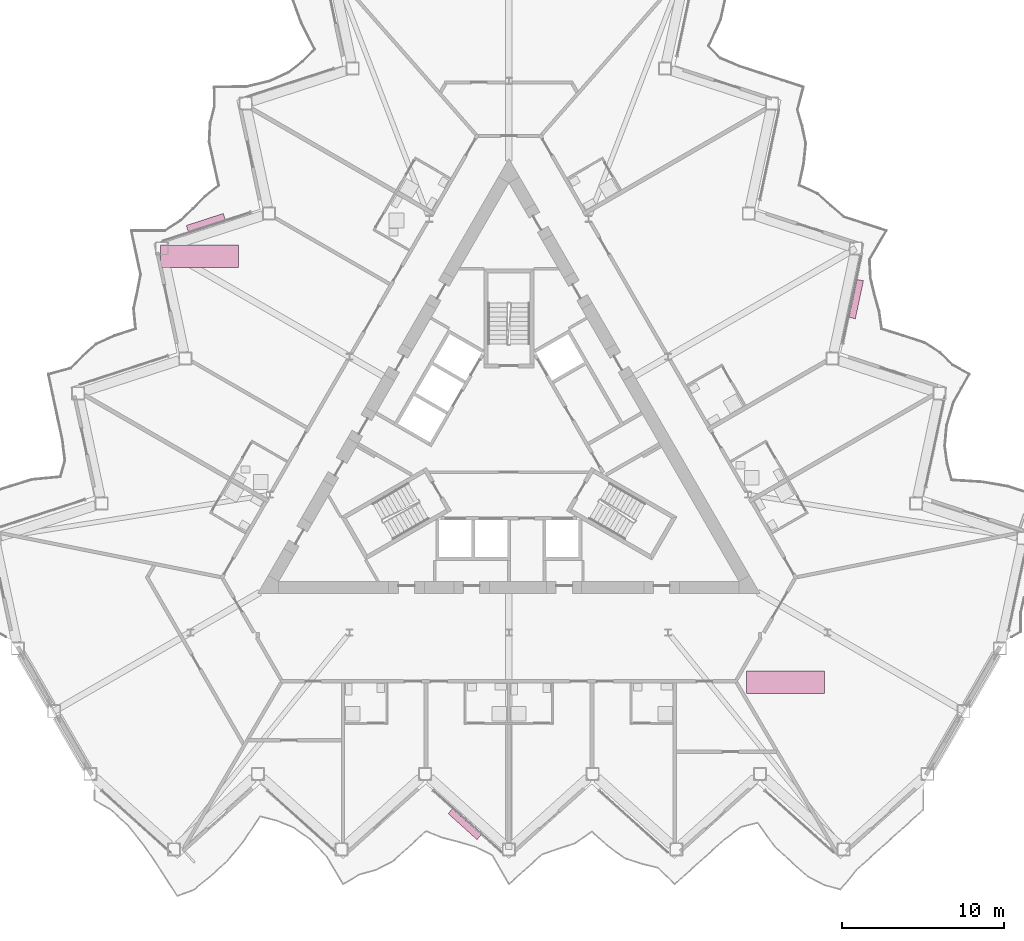
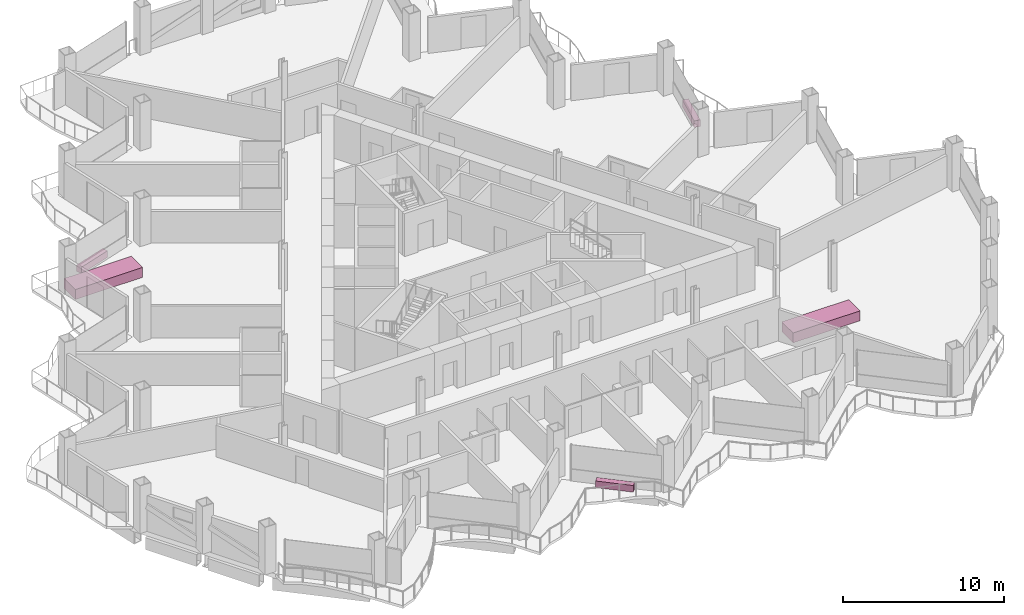
# One storey, part 23 of 23: 5 furniture elements.
"""IFC4 building model written with IfcOpenShell, lengths in metres."""

from ifc_helpers import new_model, si_unit, direction, frame, origin, origin_2d, place, context, subcontext, project, spatial, rectangle, extrude, material, type_object, element, save


model = new_model("IFC4")

# Units and contexts
model_context = context("Model", 3, precision=1e-05, world=origin(), true_north=direction((0.0, 1.0)))
body_context = subcontext(model_context, "Body", "Model", "MODEL_VIEW")
ifc_project = project(units=[si_unit("LENGTHUNIT", "METRE"), si_unit("AREAUNIT", "SQUARE_METRE"), si_unit("VOLUMEUNIT", "CUBIC_METRE"), si_unit("PLANEANGLEUNIT", "RADIAN"), si_unit("MASSUNIT", "GRAM", prefix="KILO")], contexts=[model_context])

# Site, building, storey
site_placement = place(None, origin())
site = spatial("IfcSite", under=ifc_project, at=site_placement, CompositionType="ELEMENT")
building_placement = place(site_placement, origin())
building = spatial("IfcBuilding", under=site, at=building_placement, Name="Cormorant Prow Tower", CompositionType="ELEMENT")
storey_placement = place(building_placement, frame((0.0, 0.0, 169.199951171875)))
storey = spatial("IfcBuildingStorey", under=building, at=storey_placement, Name="L35", CompositionType="ELEMENT", Elevation=169.199951171875)

# Furniture
ifc_material_1 = material(Name="Terracotta", Category="masonry")
furniture_type_1 = type_object("IfcFurnitureType", Name="Balcony planter 2400x400x500", AssemblyPlace="NOTDEFINED", PredefinedType="USERDEFINED", material=ifc_material_1)
for number, where, z_axis, x_axis, name in (
    (1, (-2.72509765625, -23.17333984375, 0.0), (0.0, 0.0, 1.0), (0.743144866726, -0.669130560548, 0.0), "Balcony planter S04"),
    (2, (21.43115234375, 9.2265625, 0.0), (0.0, 0.0, 1.0), (0.207911698927, 0.97814759901, 0.0), "Balcony planter ENE04"),
    (3, (-18.7060546875, 13.94677734375, 0.0), (0.0, 0.0, 1.0), (-0.951056534703, -0.309016937722, 0.0), "Balcony planter WNW04"),
):
    element("IfcFurniture", number, at=place(storey_placement, frame(where, z_axis=z_axis, x_axis=x_axis)), inside=storey, type_object=furniture_type_1, Name=name, ObjectType="PLANTER", PredefinedType="USERDEFINED", context=body_context, shape_type="SweptSolid", body=[
        extrude(rectangle(XDim=2.39990234375, YDim=0.39990234375, at=origin_2d()), origin(), (0.0, 0.0, 1.0), 0.5),
    ])
ifc_material_2 = material(Name="Timber joinery", Category="wood")
furniture_type_2 = type_object("IfcFurnitureType", Name="Conference table 4800x1400", AssemblyPlace="NOTDEFINED", PredefinedType="TABLE", material=ifc_material_2)
for number, where, z_axis, x_axis, name in (
    (4, (17.058837890625, -14.409423828125, 0.0), (0.0, 0.0, 1.0), (1.0, 0.0, 0.0), "Conference table"),
    (5, (-19.091552734375, 11.873779296875, 0.0), (0.0, 0.0, 1.0), (1.0, 0.0, 0.0), "Conference table"),
):
    element("IfcFurniture", number, at=place(storey_placement, frame(where, z_axis=z_axis, x_axis=x_axis)), inside=storey, type_object=furniture_type_2, Name=name, PredefinedType="TABLE", context=body_context, shape_type="SweptSolid", body=[
        extrude(rectangle(XDim=4.800048828125, YDim=1.39990234375, at=origin_2d()), origin(), (0.0, 0.0, 1.0), 0.75),
    ])

save(model, "model.ifc")
